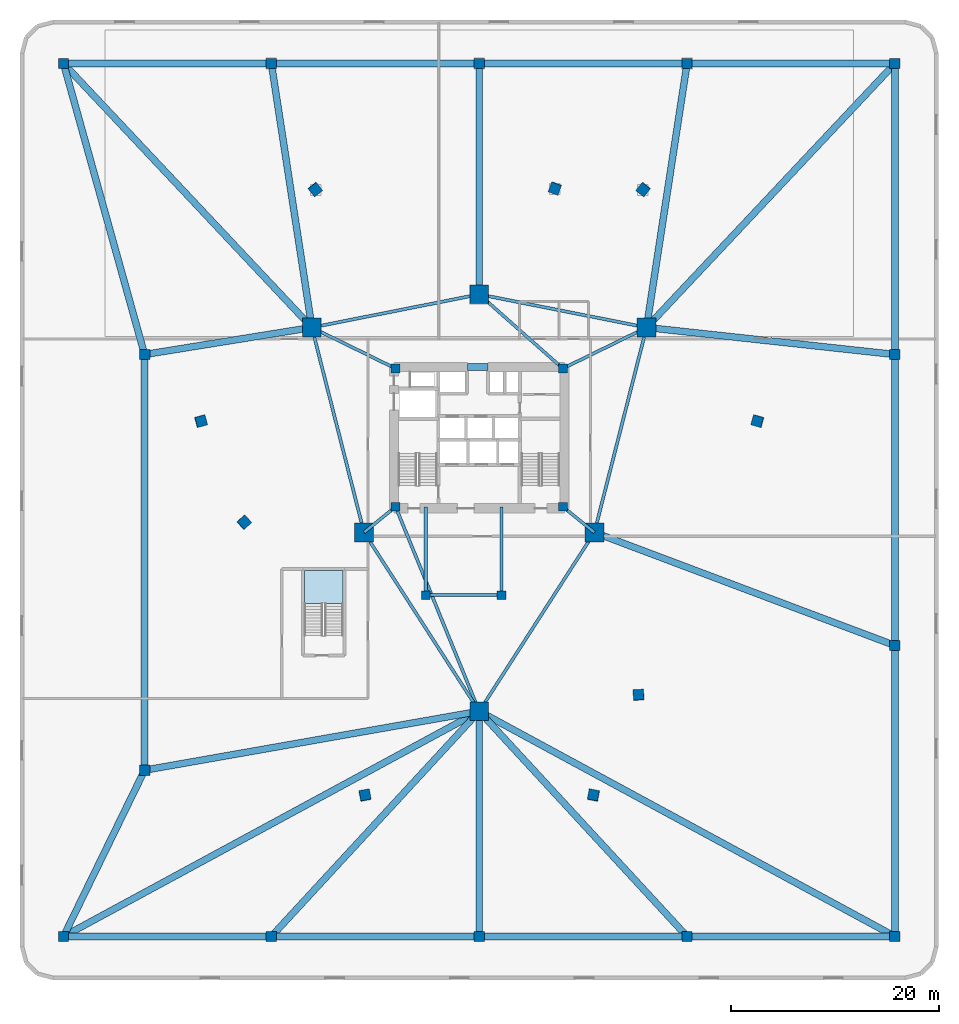
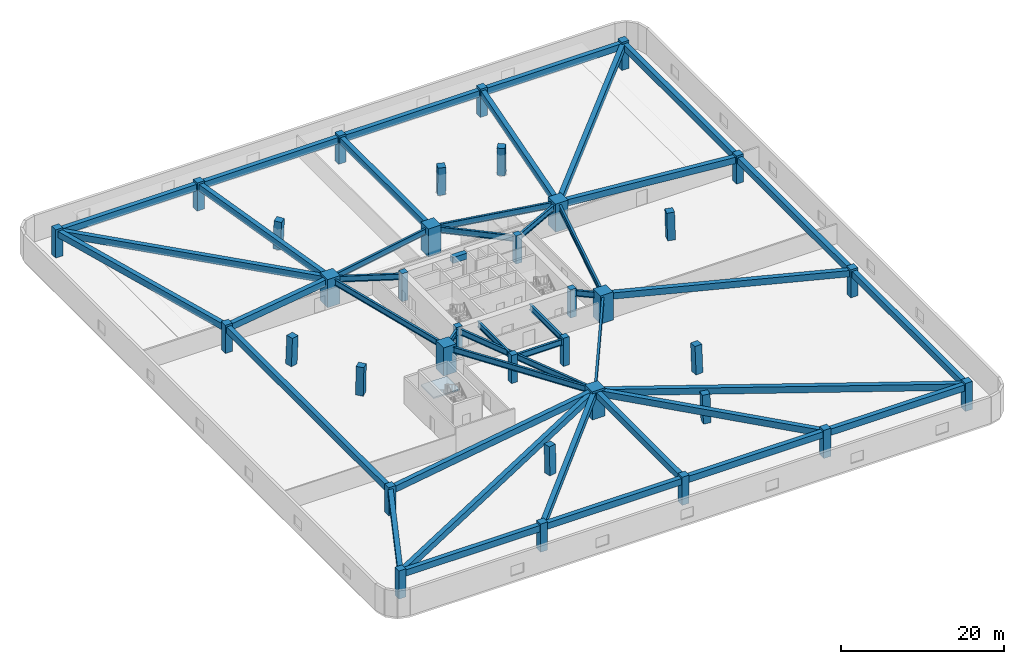
# One storey, part 1 of 10: 44 beams, 35 columns, 1 slab, 1 element without a shape of its own.
"""IFC4 building model written with IfcOpenShell, lengths in metres."""

from ifc_helpers import new_model, si_unit, direction, frame, origin, origin_2d, place, context, subcontext, project, spatial, polyline, rectangle, i_section, outline, extrude, material, layer, layer_set, material_profile, profile_set, type_object, element, aggregate, save


model = new_model("IFC4")

# Units and contexts
model_context = context("Model", 3, precision=1e-05, world=origin(), true_north=direction((0.0, 1.0)))
body_context = subcontext(model_context, "Body", "Model", "MODEL_VIEW")
ifc_project = project(units=[si_unit("LENGTHUNIT", "METRE"), si_unit("AREAUNIT", "SQUARE_METRE"), si_unit("VOLUMEUNIT", "CUBIC_METRE"), si_unit("PLANEANGLEUNIT", "RADIAN"), si_unit("MASSUNIT", "GRAM", prefix="KILO")], contexts=[model_context])

# Site, building, storey
site_placement = place(None, origin())
site = spatial("IfcSite", under=ifc_project, at=site_placement, CompositionType="ELEMENT")
building_placement = place(site_placement, origin())
building = spatial("IfcBuilding", under=site, at=building_placement, Name="Talyreon Biosciences Tower", CompositionType="ELEMENT")
storey_placement = place(building_placement, frame((0.0, 0.0, 10.199951171875)))
storey = spatial("IfcBuildingStorey", under=building, at=storey_placement, Name="L02", CompositionType="ELEMENT", Elevation=10.199951171875)

# Columns
ifc_material_1 = material(Name="Concrete C60/75", Category="concrete")
ifc_material_profile_1 = material_profile(ifc_material_1, rectangle(XDim=1.800048828125, YDim=1.800048828125, at=origin_2d()), Name="RC 1800x1800")
ifc_profile_set_1 = profile_set([ifc_material_profile_1], Name="Concrete C60/75")
column_type_1 = type_object("IfcColumnType", Name="MegaColumn_1800", PredefinedType="COLUMN", material=ifc_profile_set_1)
for number, where, z_axis, x_axis, name in (
    (1, (66.0, 41.6669921875, 0.0), (0.0, 0.0, 1.0), (1.0, 0.0, 0.0), "L02 Composite Mega-Column MC1"),
    (2, (82.102294921875, 78.5986328125, 0.0), (0.0, 0.0, 1.0), (1.0, 0.0, 0.0), "L02 Composite Mega-Column MC2"),
    (3, (49.897705078125, 78.5986328125, 0.0), (0.0, 0.0, 1.0), (1.0, 0.0, 0.0), "L02 Composite Mega-Column MC3"),
    (4, (77.086181640625, 58.88037109375, 0.0), (0.0, 0.0, 1.0), (1.0, 0.0, 0.0), "L02 Composite Mega-Column MC4"),
    (5, (66.0, 81.788818359375, 0.0), (0.0, 0.0, 1.0), (1.0, 0.0, 0.0), "L02 Composite Mega-Column MC5"),
    (6, (54.913818359375, 58.88037109375, 0.0), (0.0, 0.0, 1.0), (1.0, 0.0, 0.0), "L02 Composite Mega-Column MC6"),
):
    element("IfcColumn", number, at=place(storey_placement, frame(where, z_axis=z_axis, x_axis=x_axis)), inside=storey, type_object=column_type_1, Name=name, PredefinedType="COLUMN", context=body_context, shape_type="SweptSolid", body=[
        extrude(rectangle(XDim=1.800048828125, YDim=1.800048828125, at=origin_2d()), origin(), (0.0, 0.0, 1.0), 4.199951171875),
    ])
ifc_material_profile_2 = material_profile(ifc_material_1, rectangle(XDim=0.85009765625, YDim=0.85009765625, at=origin_2d()), Name="RC 850x850")
ifc_profile_set_2 = profile_set([ifc_material_profile_2], Name="Concrete C60/75")
column_type_2 = type_object("IfcColumnType", Name="PerimeterColumn_850", PredefinedType="COLUMN", material=ifc_profile_set_2)
for number, where, z_axis, x_axis, name in (
    (7, (57.949951171875, 61.35009765625, 0.0), (0.0, 0.0, 1.0), (1.0, 0.0, 0.0), "L02 Core Column CC1"),
    (8, (74.050048828125, 61.35009765625, 0.0), (0.0, 0.0, 1.0), (1.0, 0.0, 0.0), "L02 Core Column CC2"),
    (9, (74.050048828125, 74.64990234375, 0.0), (0.0, 0.0, 1.0), (1.0, 0.0, 0.0), "L02 Core Column CC3"),
    (10, (57.949951171875, 74.64990234375, 0.0), (0.0, 0.0, 1.0), (1.0, 0.0, 0.0), "L02 Core Column CC4"),
    (11, (60.85009765625, 52.840087890625, 0.0), (0.0, 0.0, 1.0), (1.0, 0.0, 0.0), "L02 Core Column CSW"),
    (12, (68.14990234375, 52.840087890625, 0.0), (0.0, 0.0, 1.0), (1.0, 0.0, 0.0), "L02 Core Column CSE"),
):
    element("IfcColumn", number, at=place(storey_placement, frame(where, z_axis=z_axis, x_axis=x_axis)), inside=storey, type_object=column_type_2, Name=name, PredefinedType="COLUMN", context=body_context, shape_type="SweptSolid", body=[
        extrude(rectangle(XDim=0.85009765625, YDim=0.85009765625, at=origin_2d()), origin(), (0.0, 0.0, 1.0), 4.199951171875),
    ])
ifc_material_profile_3 = material_profile(ifc_material_1, rectangle(XDim=1.0, YDim=1.0, at=origin_2d()), Name="RC 1000x1000")
ifc_profile_set_3 = profile_set([ifc_material_profile_3], Name="Concrete C60/75")
column_type_3 = type_object("IfcColumnType", Name="PodiumColumn_1000", PredefinedType="COLUMN", material=ifc_profile_set_3)
for number, where, z_axis, x_axis, name in (
    (13, (26.0, 20.0, 0.0), (0.0, 0.0, 1.0), (1.0, 0.0, 0.0), "L02 Podium Pilotis Column PDC01"),
    (14, (46.0, 20.0, 0.0), (0.0, 0.0, 1.0), (1.0, 0.0, 0.0), "L02 Podium Pilotis Column PDC02"),
    (15, (66.0, 20.0, 0.0), (0.0, 0.0, 1.0), (1.0, 0.0, 0.0), "L02 Podium Pilotis Column PDC03"),
    (16, (86.0, 20.0, 0.0), (0.0, 0.0, 1.0), (1.0, 0.0, 0.0), "L02 Podium Pilotis Column PDC04"),
    (17, (106.0, 20.0, 0.0), (0.0, 0.0, 1.0), (1.0, 0.0, 0.0), "L02 Podium Pilotis Column PDC05"),
    (18, (106.0, 48.0, 0.0), (0.0, 0.0, 1.0), (1.0, 0.0, 0.0), "L02 Podium Pilotis Column PDC06"),
    (19, (106.0, 76.0, 0.0), (0.0, 0.0, 1.0), (1.0, 0.0, 0.0), "L02 Podium Pilotis Column PDC07"),
    (20, (106.0, 104.0, 0.0), (0.0, 0.0, 1.0), (1.0, 0.0, 0.0), "L02 Podium Pilotis Column PDC08"),
    (21, (86.0, 104.0, 0.0), (0.0, 0.0, 1.0), (1.0, 0.0, 0.0), "L02 Podium Pilotis Column PDC09"),
    (22, (66.0, 104.0, 0.0), (0.0, 0.0, 1.0), (1.0, 0.0, 0.0), "L02 Podium Pilotis Column PDC10"),
    (23, (46.0, 104.0, 0.0), (0.0, 0.0, 1.0), (1.0, 0.0, 0.0), "L02 Podium Pilotis Column PDC11"),
    (24, (26.0, 104.0, 0.0), (0.0, 0.0, 1.0), (1.0, 0.0, 0.0), "L02 Podium Pilotis Column PDC12"),
    (25, (33.800048828125, 76.0, 0.0), (0.0, 0.0, 1.0), (1.0, 0.0, 0.0), "L02 Podium Pilotis Column PDC13"),
    (26, (33.800048828125, 36.0, 0.0), (0.0, 0.0, 1.0), (1.0, 0.0, 0.0), "L02 Podium Pilotis Column PDC14"),
):
    element("IfcColumn", number, at=place(storey_placement, frame(where, z_axis=z_axis, x_axis=x_axis)), inside=storey, type_object=column_type_3, Name=name, PredefinedType="COLUMN", context=body_context, shape_type="SweptSolid", body=[
        extrude(rectangle(XDim=1.0, YDim=1.0, at=origin_2d()), origin(), (0.0, 0.0, 1.0), 4.199951171875),
    ])
column_1_placement = place(storey_placement, frame((76.9970703125, 33.57470703125, 0.0029296875), z_axis=(-0.010756270952, 0.047327592189, 0.998821506403), x_axis=(-0.188781627055, -0.981012551993, 0.044450760598)))
element("IfcColumn", 27, at=column_1_placement, inside=storey, type_object=column_type_3, Name="L02 Tapering Perimeter Column PC-SE1", PredefinedType="COLUMN", context=body_context, shape_type="SweptSolid", body=[
    extrude(rectangle(XDim=1.0, YDim=1.0, at=origin_2d()), origin(), (0.0, 0.0, 1.0), 4.198974609375),
])
column_2_placement = place(storey_placement, frame((81.339599609375, 43.23193359375, 0.0029296875), z_axis=(-0.016985631787, 0.033273223911, 0.999301946803), x_axis=(0.058524976907, -0.997699446319, 0.034214644424)))
element("IfcColumn", 28, at=column_2_placement, inside=storey, type_object=column_type_3, Name="L02 Tapering Perimeter Column PL-SE", PredefinedType="COLUMN", context=body_context, shape_type="SweptSolid", body=[
    extrude(rectangle(XDim=1.0, YDim=1.0, at=origin_2d()), origin(), (0.0, 0.0, 1.0), 4.197021484375),
])
column_3_placement = place(storey_placement, frame((92.787109375, 69.59326171875, 0.0029296875), z_axis=(-0.034149278029, -0.004944955081, 0.99940450981), x_axis=(0.963404365554, -0.266182896624, 0.031602119819)))
element("IfcColumn", 29, at=column_3_placement, inside=storey, type_object=column_type_3, Name="L02 Tapering Perimeter Column PC-SE2", PredefinedType="COLUMN", context=body_context, shape_type="SweptSolid", body=[
    extrude(rectangle(XDim=1.0, YDim=1.0, at=origin_2d()), origin(), (0.0, 0.0, 1.0), 4.196533203125),
])
column_4_placement = place(storey_placement, frame((81.7900390625, 91.893310546875, 0.0029296875), z_axis=(-0.023384322481, -0.029143148167, 0.999301681364), x_axis=(-0.779956681152, 0.625833504637, 0.0)))
element("IfcColumn", 30, at=column_4_placement, inside=storey, type_object=column_type_3, Name="L02 Tapering Perimeter Column PC-N1", PredefinedType="COLUMN", context=body_context, shape_type="SweptSolid", body=[
    extrude(rectangle(XDim=1.0, YDim=1.0, at=origin_2d()), origin(), (0.0, 0.0, 1.0), 4.197021484375),
])
column_5_placement = place(storey_placement, frame((73.28759765625, 91.993408203125, 0.0029296875), z_axis=(-0.010763761875, -0.029149430808, 0.999517109465), x_axis=(-0.9380871136, 0.346399433166, 0.0)))
element("IfcColumn", 31, at=column_5_placement, inside=storey, type_object=column_type_3, Name="L02 Tapering Perimeter Column PL-N", PredefinedType="COLUMN", context=body_context, shape_type="SweptSolid", body=[
    extrude(rectangle(XDim=1.0, YDim=1.0, at=origin_2d()), origin(), (0.0, 0.0, 1.0), 4.196044921875),
])
column_6_placement = place(storey_placement, frame((50.2099609375, 91.893310546875, 0.0029296875), z_axis=(0.023384322481, -0.029143148167, 0.999301681364), x_axis=(-0.779956681152, -0.625833504637, 0.0)))
element("IfcColumn", 32, at=column_6_placement, inside=storey, type_object=column_type_3, Name="L02 Tapering Perimeter Column PC-N2", PredefinedType="COLUMN", context=body_context, shape_type="SweptSolid", body=[
    extrude(rectangle(XDim=1.0, YDim=1.0, at=origin_2d()), origin(), (0.0, 0.0, 1.0), 4.197021484375),
])
column_7_placement = place(storey_placement, frame((39.212890625, 69.59326171875, 0.0029296875), z_axis=(0.034149278029, -0.004944955081, 0.99940450981), x_axis=(0.963404365554, 0.266182896624, -0.031602119819)))
element("IfcColumn", 33, at=column_7_placement, inside=storey, type_object=column_type_3, Name="L02 Tapering Perimeter Column PC-SW1", PredefinedType="COLUMN", context=body_context, shape_type="SweptSolid", body=[
    extrude(rectangle(XDim=1.0, YDim=1.0, at=origin_2d()), origin(), (0.0, 0.0, 1.0), 4.196533203125),
])
column_8_placement = place(storey_placement, frame((43.37255859375, 59.855712890625, 0.0029296875), z_axis=(0.027870869878, 0.009193314073, 0.999569256024), x_axis=(0.743618158158, 0.6680640512, -0.026878585357)))
element("IfcColumn", 34, at=column_8_placement, inside=storey, type_object=column_type_3, Name="L02 Tapering Perimeter Column PL-SW", PredefinedType="COLUMN", context=body_context, shape_type="SweptSolid", body=[
    extrude(rectangle(XDim=1.0, YDim=1.0, at=origin_2d()), origin(), (0.0, 0.0, 1.0), 4.19580078125),
])
column_9_placement = place(storey_placement, frame((55.0029296875, 33.57470703125, 0.0029296875), z_axis=(0.010756270952, 0.047327592189, 0.998821506403), x_axis=(-0.188781627055, 0.981012551993, -0.044450760598)))
element("IfcColumn", 35, at=column_9_placement, inside=storey, type_object=column_type_3, Name="L02 Tapering Perimeter Column PC-SW2", PredefinedType="COLUMN", context=body_context, shape_type="SweptSolid", body=[
    extrude(rectangle(XDim=1.0, YDim=1.0, at=origin_2d()), origin(), (0.0, 0.0, 1.0), 4.198974609375),
])

# Beams
ifc_material_profile_4 = material_profile(ifc_material_1, rectangle(XDim=0.699951171875, YDim=0.89990234375, at=origin_2d()), Name="RCB 700x900")
ifc_profile_set_4 = profile_set([ifc_material_profile_4], Name="Concrete C60/75")
beam_type_1 = type_object("IfcBeamType", Name="CoreCouplingLintel_700x900", PredefinedType="LINTEL", material=ifc_profile_set_4)
beam_1_placement = place(storey_placement, frame((64.85009765625, 74.800048828125, 3.449951171875), z_axis=(1.0, 0.0, 0.0), x_axis=(0.0, 1.0, 0.0)))
element("IfcBeam", 36, at=beam_1_placement, inside=storey, type_object=beam_type_1, Name="L02 Core Coupling Lintel", PredefinedType="LINTEL", context=body_context, shape_type="SweptSolid", body=[
    extrude(rectangle(XDim=0.699951171875, YDim=0.89990234375, at=origin_2d()), origin(), (0.0, 0.0, 1.0), 2.0),
])
ifc_material_2 = material(Name="Concrete C50/60", Category="concrete")
ifc_material_profile_5 = material_profile(ifc_material_2, rectangle(XDim=0.64990234375, YDim=0.949951171875, at=origin_2d()), Name="RCB 650x950")
ifc_profile_set_5 = profile_set([ifc_material_profile_5], Name="Concrete C50/60")
beam_type_2 = type_object("IfcBeamType", Name="PodiumGirder_650x950", PredefinedType="T_BEAM", material=ifc_profile_set_5)
for number, where, z_axis, x_axis, name in (
    (37, (26.0, 20.0, 3.425048828125), (1.0, 0.0, 0.0), (0.0, 1.0, 0.0), "L02 Podium Perimeter Ring Girder 01"),
    (38, (46.0, 20.0, 3.425048828125), (1.0, 0.0, 0.0), (0.0, 1.0, 0.0), "L02 Podium Perimeter Ring Girder 02"),
    (39, (66.0, 20.0, 3.425048828125), (1.0, 0.0, 0.0), (0.0, 1.0, 0.0), "L02 Podium Perimeter Ring Girder 03"),
    (40, (86.0, 20.0, 3.425048828125), (1.0, 0.0, 0.0), (0.0, 1.0, 0.0), "L02 Podium Perimeter Ring Girder 04"),
):
    element("IfcBeam", number, at=place(storey_placement, frame(where, z_axis=z_axis, x_axis=x_axis)), inside=storey, type_object=beam_type_2, Name=name, PredefinedType="T_BEAM", context=body_context, shape_type="SweptSolid", body=[
        extrude(rectangle(XDim=0.64990234375, YDim=0.949951171875, at=origin_2d()), origin(), (0.0, 0.0, 1.0), 20.0),
    ])
for number, where, z_axis, x_axis, name in (
    (41, (106.0, 20.0, 3.425048828125), (0.0, 1.0, 0.0), (-1.0, 0.0, 0.0), "L02 Podium Perimeter Ring Girder 05"),
    (42, (106.0, 48.0, 3.425048828125), (0.0, 1.0, 0.0), (-1.0, 0.0, 0.0), "L02 Podium Perimeter Ring Girder 06"),
    (43, (106.0, 76.0, 3.425048828125), (0.0, 1.0, 0.0), (-1.0, 0.0, 0.0), "L02 Podium Perimeter Ring Girder 07"),
):
    element("IfcBeam", number, at=place(storey_placement, frame(where, z_axis=z_axis, x_axis=x_axis)), inside=storey, type_object=beam_type_2, Name=name, PredefinedType="T_BEAM", context=body_context, shape_type="SweptSolid", body=[
        extrude(rectangle(XDim=0.64990234375, YDim=0.949951171875, at=origin_2d()), origin(), (0.0, 0.0, 1.0), 28.0),
    ])
for number, where, z_axis, x_axis, name in (
    (44, (106.0, 104.0, 3.425048828125), (-1.0, 0.0, 0.0), (0.0, -1.0, 0.0), "L02 Podium Perimeter Ring Girder 08"),
    (45, (86.0, 104.0, 3.425048828125), (-1.0, 0.0, 0.0), (0.0, -1.0, 0.0), "L02 Podium Perimeter Ring Girder 09"),
    (46, (66.0, 104.0, 3.425048828125), (-1.0, 0.0, 0.0), (0.0, -1.0, 0.0), "L02 Podium Perimeter Ring Girder 10"),
    (47, (46.0, 104.0, 3.425048828125), (-1.0, 0.0, 0.0), (0.0, -1.0, 0.0), "L02 Podium Perimeter Ring Girder 11"),
):
    element("IfcBeam", number, at=place(storey_placement, frame(where, z_axis=z_axis, x_axis=x_axis)), inside=storey, type_object=beam_type_2, Name=name, PredefinedType="T_BEAM", context=body_context, shape_type="SweptSolid", body=[
        extrude(rectangle(XDim=0.64990234375, YDim=0.949951171875, at=origin_2d()), origin(), (0.0, 0.0, 1.0), 20.0),
    ])
beam_2_placement = place(storey_placement, frame((26.0, 104.0, 3.425048828125), z_axis=(0.268355123678, -0.963320054601, 0.0), x_axis=(0.963320054601, 0.268355123678, 0.0)))
element("IfcBeam", 48, at=beam_2_placement, inside=storey, type_object=beam_type_2, Name="L02 Podium Perimeter Ring Girder 12", PredefinedType="T_BEAM", context=body_context, shape_type="SweptSolid", body=[
    extrude(rectangle(XDim=0.64990234375, YDim=0.949951171875, at=origin_2d()), origin(), (0.0, 0.0, 1.0), 29.066162109375),
])
beam_3_placement = place(storey_placement, frame((33.800048828125, 76.0, 3.425048828125), z_axis=(0.0, -1.0, 0.0), x_axis=(1.0, 0.0, 0.0)))
element("IfcBeam", 49, at=beam_3_placement, inside=storey, type_object=beam_type_2, Name="L02 Podium Perimeter Ring Girder 13", PredefinedType="T_BEAM", context=body_context, shape_type="SweptSolid", body=[
    extrude(rectangle(XDim=0.64990234375, YDim=0.949951171875, at=origin_2d()), origin(), (0.0, 0.0, 1.0), 40.0),
])
beam_4_placement = place(storey_placement, frame((33.800048828125, 36.0, 3.425048828125), z_axis=(-0.438204463597, -0.898875323993, 0.0), x_axis=(0.898875323993, -0.438204463597, 0.0)))
element("IfcBeam", 50, at=beam_4_placement, inside=storey, type_object=beam_type_2, Name="L02 Podium Perimeter Ring Girder 14", PredefinedType="T_BEAM", context=body_context, shape_type="SweptSolid", body=[
    extrude(rectangle(XDim=0.64990234375, YDim=0.949951171875, at=origin_2d()), origin(), (0.0, 0.0, 1.0), 17.800048828125),
])
beam_5_placement = place(storey_placement, frame((66.0, 41.6669921875, 3.425048828125), z_axis=(-0.879288969782, -0.47628868097, 0.0), x_axis=(0.47628868097, -0.879288969782, 0.0)))
element("IfcBeam", 51, at=beam_5_placement, inside=storey, type_object=beam_type_2, Name="L02 Podium Radial Tie Girder PDC01", PredefinedType="T_BEAM", context=body_context, shape_type="SweptSolid", body=[
    extrude(rectangle(XDim=0.64990234375, YDim=0.949951171875, at=origin_2d()), origin(), (0.0, 0.0, 1.0), 45.4912109375),
])
beam_6_placement = place(storey_placement, frame((66.0, 41.6669921875, 3.425048828125), z_axis=(-0.678274600536, -0.73480852354, 0.0), x_axis=(0.73480852354, -0.678274600536, 0.0)))
element("IfcBeam", 52, at=beam_6_placement, inside=storey, type_object=beam_type_2, Name="L02 Podium Radial Tie Girder PDC02", PredefinedType="T_BEAM", context=body_context, shape_type="SweptSolid", body=[
    extrude(rectangle(XDim=0.64990234375, YDim=0.949951171875, at=origin_2d()), origin(), (0.0, 0.0, 1.0), 29.486572265625),
])
beam_7_placement = place(storey_placement, frame((66.0, 41.6669921875, 3.425048828125), z_axis=(0.0, -1.0, 0.0), x_axis=(1.0, 0.0, 0.0)))
element("IfcBeam", 53, at=beam_7_placement, inside=storey, type_object=beam_type_2, Name="L02 Podium Radial Tie Girder PDC03", PredefinedType="T_BEAM", context=body_context, shape_type="SweptSolid", body=[
    extrude(rectangle(XDim=0.64990234375, YDim=0.949951171875, at=origin_2d()), origin(), (0.0, 0.0, 1.0), 21.6669921875),
])
beam_8_placement = place(storey_placement, frame((66.0, 41.6669921875, 3.425048828125), z_axis=(0.678274600536, -0.73480852354, 0.0), x_axis=(0.73480852354, 0.678274600536, 0.0)))
element("IfcBeam", 54, at=beam_8_placement, inside=storey, type_object=beam_type_2, Name="L02 Podium Radial Tie Girder PDC04", PredefinedType="T_BEAM", context=body_context, shape_type="SweptSolid", body=[
    extrude(rectangle(XDim=0.64990234375, YDim=0.949951171875, at=origin_2d()), origin(), (0.0, 0.0, 1.0), 29.486572265625),
])
beam_9_placement = place(storey_placement, frame((66.0, 41.6669921875, 3.425048828125), z_axis=(0.879288969782, -0.47628868097, 0.0), x_axis=(0.47628868097, 0.879288969782, 0.0)))
element("IfcBeam", 55, at=beam_9_placement, inside=storey, type_object=beam_type_2, Name="L02 Podium Radial Tie Girder PDC05", PredefinedType="T_BEAM", context=body_context, shape_type="SweptSolid", body=[
    extrude(rectangle(XDim=0.64990234375, YDim=0.949951171875, at=origin_2d()), origin(), (0.0, 0.0, 1.0), 45.4912109375),
])
beam_10_placement = place(storey_placement, frame((77.086181640625, 58.88037109375, 3.425048828125), z_axis=(0.935927476384, -0.352192786623, 0.0), x_axis=(0.352192786623, 0.935927476384, 0.0)))
element("IfcBeam", 56, at=beam_10_placement, inside=storey, type_object=beam_type_2, Name="L02 Podium Radial Tie Girder PDC06", PredefinedType="T_BEAM", context=body_context, shape_type="SweptSolid", body=[
    extrude(rectangle(XDim=0.64990234375, YDim=0.949951171875, at=origin_2d()), origin(), (0.0, 0.0, 1.0), 30.893310546875),
])
beam_11_placement = place(storey_placement, frame((82.102294921875, 78.5986328125, 3.425048828125), z_axis=(0.994139742168, -0.108102604236, 0.0), x_axis=(0.108102604236, 0.994139742168, 0.0)))
element("IfcBeam", 57, at=beam_11_placement, inside=storey, type_object=beam_type_2, Name="L02 Podium Radial Tie Girder PDC07", PredefinedType="T_BEAM", context=body_context, shape_type="SweptSolid", body=[
    extrude(rectangle(XDim=0.64990234375, YDim=0.949951171875, at=origin_2d()), origin(), (0.0, 0.0, 1.0), 24.03857421875),
])
beam_12_placement = place(storey_placement, frame((82.102294921875, 78.5986328125, 3.425048828125), z_axis=(0.685220788465, 0.728335411095, 0.0), x_axis=(-0.728335411095, 0.685220788465, 0.0)))
element("IfcBeam", 58, at=beam_12_placement, inside=storey, type_object=beam_type_2, Name="L02 Podium Radial Tie Girder PDC08", PredefinedType="T_BEAM", context=body_context, shape_type="SweptSolid", body=[
    extrude(rectangle(XDim=0.64990234375, YDim=0.949951171875, at=origin_2d()), origin(), (0.0, 0.0, 1.0), 34.8759765625),
])
beam_13_placement = place(storey_placement, frame((82.102294921875, 78.5986328125, 3.425048828125), z_axis=(0.151669534412, 0.988431258273, 0.0), x_axis=(-0.988431258273, 0.151669534412, 0.0)))
element("IfcBeam", 59, at=beam_13_placement, inside=storey, type_object=beam_type_2, Name="L02 Podium Radial Tie Girder PDC09", PredefinedType="T_BEAM", context=body_context, shape_type="SweptSolid", body=[
    extrude(rectangle(XDim=0.64990234375, YDim=0.949951171875, at=origin_2d()), origin(), (0.0, 0.0, 1.0), 25.69873046875),
])
beam_14_placement = place(storey_placement, frame((66.0, 81.788818359375, 3.425048828125), z_axis=(0.0, 1.0, 0.0), x_axis=(-1.0, 0.0, 0.0)))
element("IfcBeam", 60, at=beam_14_placement, inside=storey, type_object=beam_type_2, Name="L02 Podium Radial Tie Girder PDC10", PredefinedType="T_BEAM", context=body_context, shape_type="SweptSolid", body=[
    extrude(rectangle(XDim=0.64990234375, YDim=0.949951171875, at=origin_2d()), origin(), (0.0, 0.0, 1.0), 22.211181640625),
])
beam_15_placement = place(storey_placement, frame((49.897705078125, 78.5986328125, 3.425048828125), z_axis=(-0.151669534412, 0.988431258273, 0.0), x_axis=(-0.988431258273, -0.151669534412, 0.0)))
element("IfcBeam", 61, at=beam_15_placement, inside=storey, type_object=beam_type_2, Name="L02 Podium Radial Tie Girder PDC11", PredefinedType="T_BEAM", context=body_context, shape_type="SweptSolid", body=[
    extrude(rectangle(XDim=0.64990234375, YDim=0.949951171875, at=origin_2d()), origin(), (0.0, 0.0, 1.0), 25.69873046875),
])
beam_16_placement = place(storey_placement, frame((49.897705078125, 78.5986328125, 3.425048828125), z_axis=(-0.685220788465, 0.728335411095, 0.0), x_axis=(-0.728335411095, -0.685220788465, 0.0)))
element("IfcBeam", 62, at=beam_16_placement, inside=storey, type_object=beam_type_2, Name="L02 Podium Radial Tie Girder PDC12", PredefinedType="T_BEAM", context=body_context, shape_type="SweptSolid", body=[
    extrude(rectangle(XDim=0.64990234375, YDim=0.949951171875, at=origin_2d()), origin(), (0.0, 0.0, 1.0), 34.8759765625),
])
beam_17_placement = place(storey_placement, frame((49.897705078125, 78.5986328125, 3.425048828125), z_axis=(-0.987219548989, -0.159366125932, 0.0), x_axis=(0.159366125932, -0.987219548989, 0.0)))
element("IfcBeam", 63, at=beam_17_placement, inside=storey, type_object=beam_type_2, Name="L02 Podium Radial Tie Girder PDC13", PredefinedType="T_BEAM", context=body_context, shape_type="SweptSolid", body=[
    extrude(rectangle(XDim=0.64990234375, YDim=0.949951171875, at=origin_2d()), origin(), (0.0, 0.0, 1.0), 16.30615234375),
])
beam_18_placement = place(storey_placement, frame((66.0, 41.6669921875, 3.425048828125), z_axis=(-0.984863814232, -0.173329938024, 0.0), x_axis=(0.173329938024, -0.984863814232, 0.0)))
element("IfcBeam", 64, at=beam_18_placement, inside=storey, type_object=beam_type_2, Name="L02 Podium Radial Tie Girder PDC14", PredefinedType="T_BEAM", context=body_context, shape_type="SweptSolid", body=[
    extrude(rectangle(XDim=0.64990234375, YDim=0.949951171875, at=origin_2d()), origin(), (0.0, 0.0, 1.0), 32.69482421875),
])
ifc_material_3 = material(Name="Steel SM420", Category="steel")
ifc_material_profile_6 = material_profile(ifc_material_3, i_section(OverallWidth=0.300048828125, OverallDepth=0.89990234375, WebThickness=0.0185546875, FlangeThickness=0.034912109375, FilletRadius=0.030029296875, at=origin_2d()), Name="HE900B")
ifc_profile_set_6 = profile_set([ifc_material_profile_6], Name="Steel SM420")
beam_type_3 = type_object("IfcBeamType", Name="SteelGirder_HE900B", PredefinedType="BEAM", material=ifc_profile_set_6)
beam_19_placement = place(storey_placement, frame((66.0, 41.6669921875, 3.449951171875), z_axis=(0.541463723609, 0.840724114092, 0.0), x_axis=(-0.840724114092, 0.541463723609, 0.0)))
element("IfcBeam", 65, at=beam_19_placement, inside=storey, type_object=beam_type_3, Name="L02 Mega-Ring Girder 1", PredefinedType="BEAM", context=body_context, shape_type="SweptSolid", body=[
    extrude(i_section(OverallWidth=0.300048828125, OverallDepth=0.89990234375, WebThickness=0.0185546875, FlangeThickness=0.034912109375, FilletRadius=0.030029296875, at=origin_2d()), origin(), (0.0, 0.0, 1.0), 20.474365234375),
])
beam_20_placement = place(storey_placement, frame((77.086181640625, 58.88037109375, 3.449951171875), z_axis=(0.246537082299, 0.969133358755, 0.0), x_axis=(-0.969133358755, 0.246537082299, 0.0)))
element("IfcBeam", 66, at=beam_20_placement, inside=storey, type_object=beam_type_3, Name="L02 Mega-Ring Girder 2", PredefinedType="BEAM", context=body_context, shape_type="SweptSolid", body=[
    extrude(i_section(OverallWidth=0.300048828125, OverallDepth=0.89990234375, WebThickness=0.0185546875, FlangeThickness=0.034912109375, FilletRadius=0.030029296875, at=origin_2d()), origin(), (0.0, 0.0, 1.0), 20.34619140625),
])
for number, where, z_axis, x_axis, name in (
    (67, (82.102294921875, 78.5986328125, 3.449951171875), (-0.980933730698, 0.194342522311, 0.0), (-0.194342522311, -0.980933730698, 0.0), "L02 Mega-Ring Girder 3"),
    (68, (66.0, 81.788818359375, 3.449951171875), (-0.980933730698, -0.194342522311, 0.0), (0.194342522311, -0.980933730698, 0.0), "L02 Mega-Ring Girder 4"),
):
    element("IfcBeam", number, at=place(storey_placement, frame(where, z_axis=z_axis, x_axis=x_axis)), inside=storey, type_object=beam_type_3, Name=name, PredefinedType="BEAM", context=body_context, shape_type="SweptSolid", body=[
        extrude(i_section(OverallWidth=0.300048828125, OverallDepth=0.89990234375, WebThickness=0.0185546875, FlangeThickness=0.034912109375, FilletRadius=0.030029296875, at=origin_2d()), origin(), (0.0, 0.0, 1.0), 16.415283203125),
    ])
beam_21_placement = place(storey_placement, frame((49.897705078125, 78.5986328125, 3.449951171875), z_axis=(0.246537082299, -0.969133358755, 0.0), x_axis=(0.969133358755, 0.246537082299, 0.0)))
element("IfcBeam", 69, at=beam_21_placement, inside=storey, type_object=beam_type_3, Name="L02 Mega-Ring Girder 5", PredefinedType="BEAM", context=body_context, shape_type="SweptSolid", body=[
    extrude(i_section(OverallWidth=0.300048828125, OverallDepth=0.89990234375, WebThickness=0.0185546875, FlangeThickness=0.034912109375, FilletRadius=0.030029296875, at=origin_2d()), origin(), (0.0, 0.0, 1.0), 20.34619140625),
])
beam_22_placement = place(storey_placement, frame((54.913818359375, 58.88037109375, 3.449951171875), z_axis=(0.541463723609, -0.840724114092, 0.0), x_axis=(0.840724114092, 0.541463723609, 0.0)))
element("IfcBeam", 70, at=beam_22_placement, inside=storey, type_object=beam_type_3, Name="L02 Mega-Ring Girder 6", PredefinedType="BEAM", context=body_context, shape_type="SweptSolid", body=[
    extrude(i_section(OverallWidth=0.300048828125, OverallDepth=0.89990234375, WebThickness=0.0185546875, FlangeThickness=0.034912109375, FilletRadius=0.030029296875, at=origin_2d()), origin(), (0.0, 0.0, 1.0), 20.474365234375),
])
beam_23_placement = place(storey_placement, frame((57.949951171875, 61.35009765625, 3.449951171875), z_axis=(0.378547014545, -0.925582064314, 0.0), x_axis=(0.925582064314, 0.378547014545, 0.0)))
element("IfcBeam", 71, at=beam_23_placement, inside=storey, type_object=beam_type_3, Name="L02 Radial Primary Girder 1", PredefinedType="BEAM", context=body_context, shape_type="SweptSolid", body=[
    extrude(i_section(OverallWidth=0.300048828125, OverallDepth=0.89990234375, WebThickness=0.0185546875, FlangeThickness=0.034912109375, FilletRadius=0.030029296875, at=origin_2d()), origin(), (0.0, 0.0, 1.0), 21.265625),
])
beam_24_placement = place(storey_placement, frame((74.050048828125, 61.35009765625, 3.449951171875), z_axis=(0.775755154013, -0.631034025249, 0.0), x_axis=(0.631034025249, 0.775755154013, 0.0)))
element("IfcBeam", 72, at=beam_24_placement, inside=storey, type_object=beam_type_3, Name="L02 Radial Primary Girder 2", PredefinedType="BEAM", context=body_context, shape_type="SweptSolid", body=[
    extrude(i_section(OverallWidth=0.300048828125, OverallDepth=0.89990234375, WebThickness=0.0185546875, FlangeThickness=0.034912109375, FilletRadius=0.030029296875, at=origin_2d()), origin(), (0.0, 0.0, 1.0), 3.913818359375),
])
beam_25_placement = place(storey_placement, frame((74.050048828125, 74.64990234375, 3.449951171875), z_axis=(0.897852360314, 0.440296648952, 0.0), x_axis=(-0.440296648952, 0.897852360314, 0.0)))
element("IfcBeam", 73, at=beam_25_placement, inside=storey, type_object=beam_type_3, Name="L02 Radial Primary Girder 3", PredefinedType="BEAM", context=body_context, shape_type="SweptSolid", body=[
    extrude(i_section(OverallWidth=0.300048828125, OverallDepth=0.89990234375, WebThickness=0.0185546875, FlangeThickness=0.034912109375, FilletRadius=0.030029296875, at=origin_2d()), origin(), (0.0, 0.0, 1.0), 8.96826171875),
])
beam_26_placement = place(storey_placement, frame((74.050048828125, 74.64990234375, 3.449951171875), z_axis=(-0.748178733955, 0.663497235908, 0.0), x_axis=(-0.663497235908, -0.748178733955, 0.0)))
element("IfcBeam", 74, at=beam_26_placement, inside=storey, type_object=beam_type_3, Name="L02 Radial Primary Girder 4", PredefinedType="BEAM", context=body_context, shape_type="SweptSolid", body=[
    extrude(i_section(OverallWidth=0.300048828125, OverallDepth=0.89990234375, WebThickness=0.0185546875, FlangeThickness=0.034912109375, FilletRadius=0.030029296875, at=origin_2d()), origin(), (0.0, 0.0, 1.0), 10.759521484375),
])
beam_27_placement = place(storey_placement, frame((57.949951171875, 74.64990234375, 3.449951171875), z_axis=(-0.897852360314, 0.440296648952, 0.0), x_axis=(-0.440296648952, -0.897852360314, 0.0)))
element("IfcBeam", 75, at=beam_27_placement, inside=storey, type_object=beam_type_3, Name="L02 Radial Primary Girder 5", PredefinedType="BEAM", context=body_context, shape_type="SweptSolid", body=[
    extrude(i_section(OverallWidth=0.300048828125, OverallDepth=0.89990234375, WebThickness=0.0185546875, FlangeThickness=0.034912109375, FilletRadius=0.030029296875, at=origin_2d()), origin(), (0.0, 0.0, 1.0), 8.96826171875),
])
beam_28_placement = place(storey_placement, frame((57.949951171875, 61.35009765625, 3.449951171875), z_axis=(-0.775755154013, -0.631034025249, 0.0), x_axis=(0.631034025249, -0.775755154013, 0.0)))
element("IfcBeam", 76, at=beam_28_placement, inside=storey, type_object=beam_type_3, Name="L02 Radial Primary Girder 6", PredefinedType="BEAM", context=body_context, shape_type="SweptSolid", body=[
    extrude(i_section(OverallWidth=0.300048828125, OverallDepth=0.89990234375, WebThickness=0.0185546875, FlangeThickness=0.034912109375, FilletRadius=0.030029296875, at=origin_2d()), origin(), (0.0, 0.0, 1.0), 3.913818359375),
])
beam_29_placement = place(storey_placement, frame((60.85009765625, 52.840087890625, 3.449951171875), z_axis=(1.0, 0.0, 0.0), x_axis=(0.0, 1.0, 0.0)))
element("IfcBeam", 77, at=beam_29_placement, inside=storey, type_object=beam_type_3, Name="L02 Crown Shaft Spine Girder S", PredefinedType="BEAM", context=body_context, shape_type="SweptSolid", body=[
    extrude(i_section(OverallWidth=0.300048828125, OverallDepth=0.89990234375, WebThickness=0.0185546875, FlangeThickness=0.034912109375, FilletRadius=0.030029296875, at=origin_2d()), origin(), (0.0, 0.0, 1.0), 7.2998046875),
])
for number, where, z_axis, x_axis, name in (
    (78, (60.85009765625, 52.840087890625, 3.449951171875), (0.0, 1.0, 0.0), (-1.0, 0.0, 0.0), "L02 Crown Shaft Tie Girder W"),
    (79, (68.14990234375, 52.840087890625, 3.449951171875), (0.0, 1.0, 0.0), (-1.0, 0.0, 0.0), "L02 Crown Shaft Tie Girder E"),
):
    element("IfcBeam", number, at=place(storey_placement, frame(where, z_axis=z_axis, x_axis=x_axis)), inside=storey, type_object=beam_type_3, Name=name, PredefinedType="BEAM", context=body_context, shape_type="SweptSolid", body=[
        extrude(i_section(OverallWidth=0.300048828125, OverallDepth=0.89990234375, WebThickness=0.0185546875, FlangeThickness=0.034912109375, FilletRadius=0.030029296875, at=origin_2d()), origin(), (0.0, 0.0, 1.0), 8.510009765625),
    ])

# Stair, slab
ifc_material_4 = material(Name="Concrete C40/50", Category="concrete")
stair_type = type_object("IfcStairType", Name="DoglegEscapeStair_4200", PredefinedType="HALF_TURN_STAIR", material=ifc_material_4)
stair_placement = place(storey_placement, origin())
stair = element("IfcStair", 80, at=stair_placement, inside=storey, type_object=stair_type, Name="L02 Podium Escape Stair 3", PredefinedType="HALF_TURN_STAIR")
ifc_layer = layer(ifc_material_4, 0.199951171875)
ifc_layer_set = layer_set([ifc_layer], Name="Concrete C40/50")
slab_type = type_object("IfcSlabType", Name="StairLandingSlab_200", PredefinedType="LANDING", material=ifc_layer_set)
slab_placement = place(storey_placement, frame((0.0, 0.0, 1.900146484375)))
slab = element("IfcSlab", 81, at=slab_placement, type_object=slab_type, Name="ST-3 landing 1", PredefinedType="LANDING", context=body_context, shape_type="SweptSolid", body=[
    extrude(outline(polyline([(52.8798828125, 52.030029296875), (52.8798828125, 55.199951171875), (49.199951171875, 55.199951171875), (49.199951171875, 52.030029296875), (52.8798828125, 52.030029296875)])), origin(), (0.0, 0.0, 1.0), 0.199951171875),
])
aggregate(stair, [slab])

save(model, "model.ifc")
